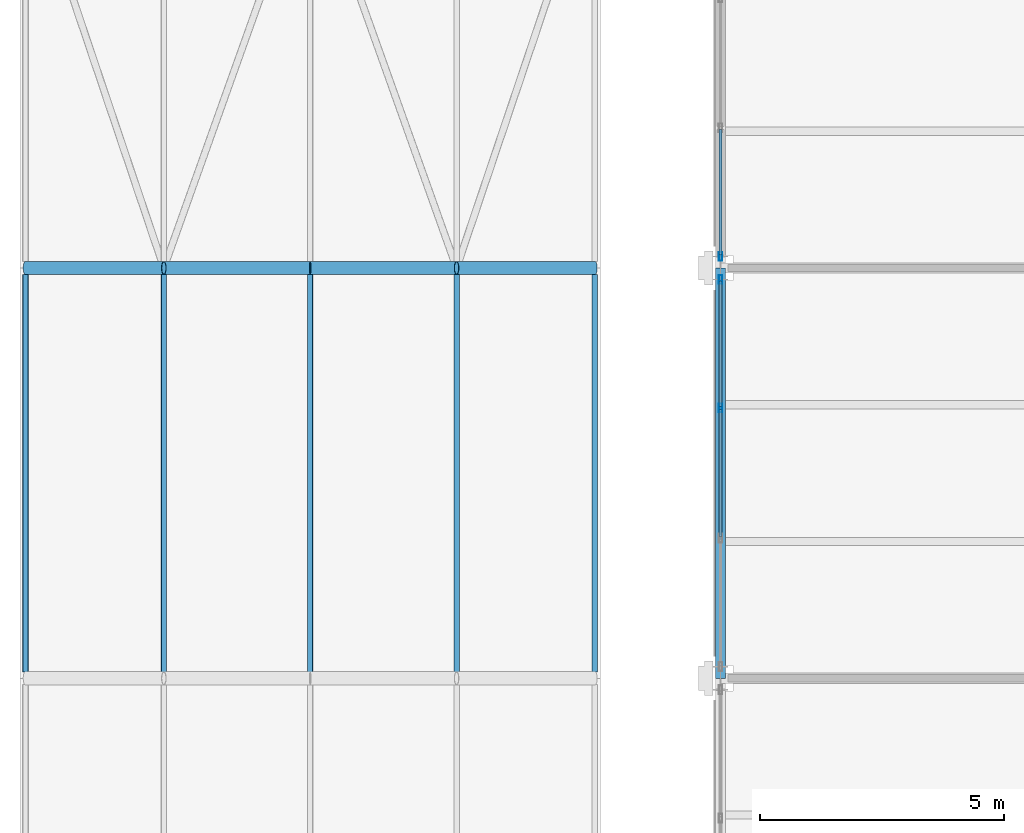
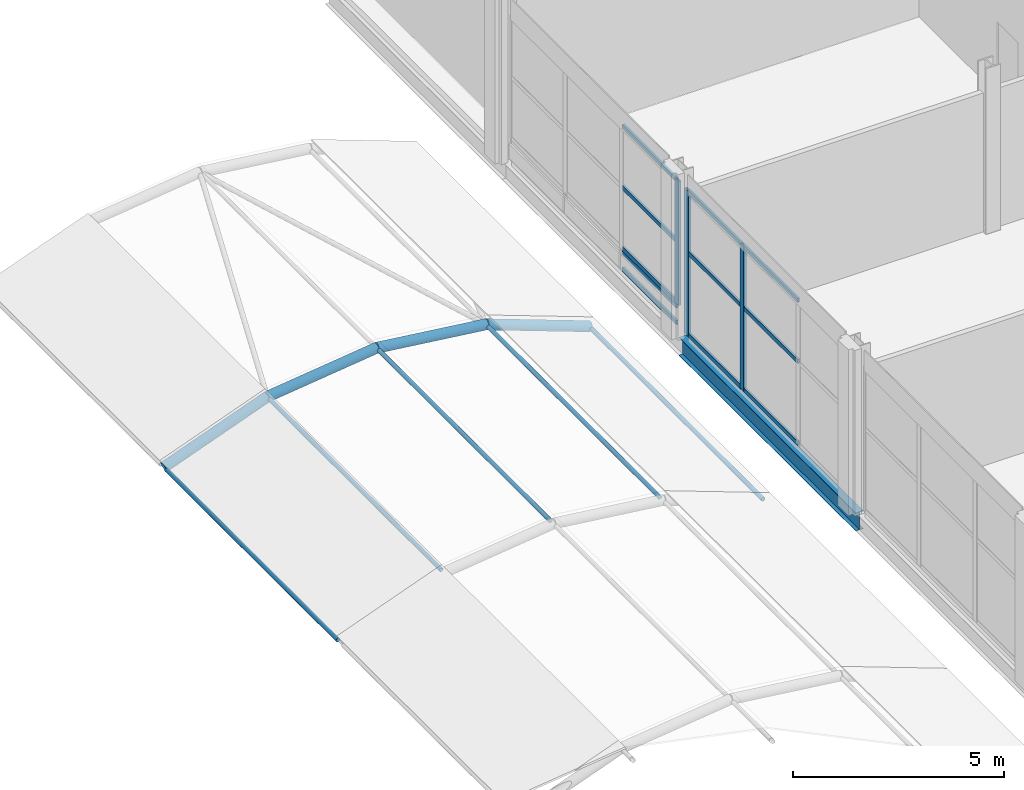
# One storey, part 124 of 167: 23 members, 1 beam, 3 elements without a shape of their own.
"""IFC4 building model written with IfcOpenShell, lengths in metres."""

import ifcopenshell
import ifcopenshell.guid

model = None  # the IFC model being written
_history = None  # IfcOwnerHistory: only IFC2X3 demands one
_inside = {}  # id of a spatial element -> (the spatial element, [elements in it])
_under = {}  # id of a project, library or spatial element -> (it, [spatial elements below it])
_declared = {}  # id of a project -> (the project, [libraries it declares])
_typed = {}  # id of a type object -> (the type object, [elements of that type])
_made_of = {}  # id of a material, layer set ... -> (it, [elements and type objects made of it])


def new_model(schema):
    """Start an empty IFC model of exactly this schema.

    Asked for "IFC4X3", IfcOpenShell would pick the latest addendum, in which some entities
    have other attributes; the version numbers below select the first issue.
    IFC2X3 requires an IfcOwnerHistory on every rooted entity: one is made here for all.
    """
    global model, _history
    if schema == "IFC4X3":
        model = ifcopenshell.file(schema_version=(4, 3, 0, 0))
    else:
        model = ifcopenshell.file(schema=schema)
    _inside.clear()
    _under.clear()
    _declared.clear()
    _typed.clear()
    _made_of.clear()
    _history = None
    if model.schema == "IFC2X3":
        org = make("IfcOrganization", Name="unknown")
        user = make(
            "IfcPersonAndOrganization",
            ThePerson=make("IfcPerson", FamilyName="unknown"),
            TheOrganization=org,
        )
        app = make(
            "IfcApplication",
            ApplicationDeveloper=org,
            Version="unknown",
            ApplicationFullName="unknown",
            ApplicationIdentifier="unknown",
        )
        _history = make(
            "IfcOwnerHistory",
            OwningUser=user,
            OwningApplication=app,
            ChangeAction="ADDED",
            CreationDate=0,
        )
    return model


def make(cls, **values):
    """One entity of the class cls with the attributes given. An attribute that is None is left unset."""
    return model.create_entity(
        cls, **{name: value for name, value in values.items() if value is not None}
    )


def rooted(cls, **values):
    """An entity with a GlobalId (a new one), such as an element, a storey or a relation."""
    return make(cls, GlobalId=ifcopenshell.guid.new(), OwnerHistory=_history, **values)


def si_unit(unit_type, name, prefix=None):
    """IfcSIUnit, for example si_unit("LENGTHUNIT", "METRE", prefix="MILLI")."""
    return make("IfcSIUnit", UnitType=unit_type, Prefix=prefix, Name=name)


def assignment(units):
    """IfcUnitAssignment: the units of a project."""
    return None if units is None else make("IfcUnitAssignment", Units=units)


def point(xyz):
    """IfcCartesianPoint."""
    return None if xyz is None else make("IfcCartesianPoint", Coordinates=xyz)


def direction(xyz):
    """IfcDirection."""
    return None if xyz is None else make("IfcDirection", DirectionRatios=xyz)


def frame(location, z_axis=None, x_axis=None):
    """IfcAxis2Placement3D, a coordinate frame: its origin and axes. An axis left out is left unset."""
    return make(
        "IfcAxis2Placement3D",
        Location=point(location),
        Axis=direction(z_axis),
        RefDirection=direction(x_axis),
    )


def frame_2d(location, x_axis=None):
    """IfcAxis2Placement2D, a coordinate frame in the plane: its origin and x axis."""
    return make(
        "IfcAxis2Placement2D", Location=point(location), RefDirection=direction(x_axis)
    )


def origin():
    """The frame at (0, 0, 0) with its axes left unset."""
    return frame((0.0, 0.0, 0.0))


def origin_2d():
    """The frame at (0, 0) in the plane with its x axis left unset."""
    return frame_2d((0.0, 0.0))


def place(relative_to, where):
    """IfcLocalPlacement: puts the frame where relative to a parent placement (None: the world)."""
    return make(
        "IfcLocalPlacement", PlacementRelTo=relative_to, RelativePlacement=where
    )


def context(
    kind, dimensions, precision=None, world=None, true_north=None, identifier=None
):
    """IfcGeometricRepresentationContext, for example the 3D "Model" context."""
    return make(
        "IfcGeometricRepresentationContext",
        ContextIdentifier=identifier,
        ContextType=kind,
        CoordinateSpaceDimension=dimensions,
        Precision=precision,
        WorldCoordinateSystem=world,
        TrueNorth=true_north,
    )


def subcontext(parent, identifier, kind, view, scale=None):
    """IfcGeometricRepresentationSubContext, for example "Body" below "Model"."""
    return make(
        "IfcGeometricRepresentationSubContext",
        ContextIdentifier=identifier,
        ContextType=kind,
        ParentContext=parent,
        TargetScale=scale,
        TargetView=view,
    )


def project(units=None, contexts=None):
    """IfcProject with its units and contexts."""
    return rooted(
        "IfcProject",
        Name="project",
        RepresentationContexts=contexts,
        UnitsInContext=assignment(units),
    )


def spatial(cls, under=None, at=None, **own):
    """A site, building, storey or space (cls), placed at a placement, below another one or the project."""
    s = rooted(cls, ObjectPlacement=at, **own)
    if under is not None:
        _under.setdefault(under.id(), (under, []))[1].append(s)
    return s


def profile(cls, at=None, kind="AREA", **sizes):
    """A parametric profile (cls). Its sizes go by their IFC names, for example OverallWidth=200.0."""
    return make(cls, ProfileType=kind, Position=at, **sizes)


def hollow_rectangle(**sizes):
    """IfcRectangleHollowProfileDef."""
    return profile("IfcRectangleHollowProfileDef", **sizes)


def hollow_circle(**sizes):
    """IfcCircleHollowProfileDef."""
    return profile("IfcCircleHollowProfileDef", **sizes)


def i_section(**sizes):
    """IfcIShapeProfileDef."""
    return profile("IfcIShapeProfileDef", **sizes)


def extrude(swept, where, along, depth):
    """IfcExtrudedAreaSolid: the profile swept, set in the frame where, extruded along a direction by depth."""
    return make(
        "IfcExtrudedAreaSolid",
        SweptArea=swept,
        Position=where,
        ExtrudedDirection=direction(along),
        Depth=depth,
    )


def shape(context_of_items, identifier, shape_type, items):
    """IfcShapeRepresentation: the items that make up one representation, for example the "Body"."""
    return make(
        "IfcShapeRepresentation",
        ContextOfItems=context_of_items,
        RepresentationIdentifier=identifier,
        RepresentationType=shape_type,
        Items=items,
    )


def material(Name=None, Category=None):
    """IfcMaterial."""
    return make("IfcMaterial", Name=Name, Category=Category)


def material_profile(
    of_material, cross_section, Name=None, Category=None, Priority=None
):
    """IfcMaterialProfile: a cross section and its material."""
    return make(
        "IfcMaterialProfile",
        Name=Name,
        Material=of_material,
        Profile=cross_section,
        Priority=Priority,
        Category=Category,
    )


def profile_set(profiles, Name=None, composite=None):
    """IfcMaterialProfileSet."""
    return make(
        "IfcMaterialProfileSet",
        Name=Name,
        MaterialProfiles=profiles,
        CompositeProfile=composite,
    )


def made_of(thing, what):
    """Note that an element or type object is made of a material, layer set ...; save() writes the relation."""
    if what is not None:
        _made_of.setdefault(what.id(), (what, []))[1].append(thing)
    return thing


def type_object(cls, material=None, **own):
    """A type object (cls), such as IfcWallType, which elements share."""
    return made_of(rooted(cls, **own), material)


def element(
    cls,
    number,
    at=None,
    inside=None,
    cuts=None,
    type_object=None,
    material=None,
    context=None,
    identifier="Body",
    shape_type=None,
    held_by="IfcProductDefinitionShape",
    body=None,
    shapes=None,
    **own,
):
    """One element of the class cls, such as IfcWall. Its Tag is "e" and its number.

    at: its placement. inside: the storey or other place that contains it. cuts: it is an
    opening in that element (IfcRelVoidsElement). A single representation is given by context,
    identifier, shape_type and body (its items); several are given by shapes. held_by: the class
    of the entity that holds the representations. save() writes the other relations.
    """
    e = rooted(cls, Tag="e%d" % number, ObjectPlacement=at, **own)
    if body is not None:
        shapes = [shape(context, identifier, shape_type, body)]
    if shapes is not None:
        e.Representation = make(held_by, Representations=shapes)
    if inside is not None:
        _inside.setdefault(inside.id(), (inside, []))[1].append(e)
    if cuts is not None:
        rooted(
            "IfcRelVoidsElement", RelatingBuildingElement=cuts, RelatedOpeningElement=e
        )
    if type_object is not None:
        _typed.setdefault(type_object.id(), (type_object, []))[1].append(e)
    return made_of(e, material)


def aggregate(whole, parts):
    """IfcRelAggregates: a whole, such as a stair, and the parts it consists of."""
    return rooted("IfcRelAggregates", RelatingObject=whole, RelatedObjects=parts)


def save(model, path):
    """Write the relations noted so far, then the file.

    IfcRelAggregates (storeys below a building ...), IfcRelContainedInSpatialStructure (elements
    in a storey), IfcRelDefinesByType, IfcRelAssociatesMaterial and IfcRelDeclares: one each for
    every whole, place, type object, material and project.
    """
    for whole, parts in _under.values():
        aggregate(whole, parts)
    for where, things in _inside.values():
        rooted(
            "IfcRelContainedInSpatialStructure",
            RelatedElements=things,
            RelatingStructure=where,
        )
    for kind, things in _typed.values():
        rooted("IfcRelDefinesByType", RelatedObjects=things, RelatingType=kind)
    for what, things in _made_of.values():
        rooted("IfcRelAssociatesMaterial", RelatedObjects=things, RelatingMaterial=what)
    for by, libraries in _declared.values():
        rooted("IfcRelDeclares", RelatingContext=by, RelatedDefinitions=libraries)
    model.write(path)


model = new_model("IFC4")

# Units and contexts
model_context = context("Model", 3, precision=1e-05, world=origin(), true_north=direction((0.0, 1.0)))
body_context = subcontext(model_context, "Body", "Model", "MODEL_VIEW")
ifc_project = project(units=[si_unit("LENGTHUNIT", "METRE"), si_unit("AREAUNIT", "SQUARE_METRE"), si_unit("VOLUMEUNIT", "CUBIC_METRE"), si_unit("PLANEANGLEUNIT", "RADIAN"), si_unit("MASSUNIT", "GRAM", prefix="KILO")], contexts=[model_context])

# Site, building, storey
site_placement = place(None, origin())
site = spatial("IfcSite", under=ifc_project, at=site_placement, CompositionType="ELEMENT")
building_placement = place(site_placement, origin())
building = spatial("IfcBuilding", under=site, at=building_placement, Name="Catenary Quay Ferry Terminal", CompositionType="ELEMENT")
storey_placement = place(building_placement, frame((0.0, 0.0, 6.0)))
storey = spatial("IfcBuildingStorey", under=building, at=storey_placement, Name="L01", CompositionType="ELEMENT", Elevation=6.0)

# Beam
ifc_material_1 = material(Name="Steel S355", Category="steel")
ifc_material_profile_1 = material_profile(ifc_material_1, i_section(OverallWidth=0.208740234375, OverallDepth=0.5283203125, WebThickness=0.009521484375, FlangeThickness=0.01318359375, at=origin_2d()), Name="UB 533x210x82")
ifc_profile_set_1 = profile_set([ifc_material_profile_1], Name="Steel S355")
beam_type = type_object("IfcBeamType", Name="B5 UB 533x210x82", PredefinedType="BEAM", material=ifc_profile_set_1)
beam_placement = place(storey_placement, frame((25.199951171875, 184.800048828125, -0.464111328125), z_axis=(0.0, 1.0, 0.0), x_axis=(-1.0, 0.0, 0.0)))
element("IfcBeam", 1, at=beam_placement, inside=storey, type_object=beam_type, Name="Beam B5-025", PredefinedType="BEAM", context=body_context, shape_type="SweptSolid", body=[
    extrude(i_section(OverallWidth=0.208740234375, OverallDepth=0.5283203125, WebThickness=0.009521484375, FlangeThickness=0.01318359375, at=origin_2d()), origin(), (0.0, 0.0, 1.0), 8.39990234375),
])

# Curtain wall, members
ifc_material_2 = material(Name="Aluminium and glass", Category="aluminium")
curtain_wall_type_1 = type_object("IfcCurtainWallType", Name="CWW2", PredefinedType="NOTDEFINED", material=ifc_material_2)
curtain_wall_1_placement = place(storey_placement, origin())
curtain_wall_1 = element("IfcCurtainWall", 2, at=curtain_wall_1_placement, inside=storey, type_object=curtain_wall_type_1, Name="Wing curtain wall CW126", PredefinedType="NOTDEFINED")
ifc_material_3 = material(Name="Aluminium", Category="aluminium")
ifc_material_profile_2 = material_profile(ifc_material_3, hollow_rectangle(XDim=0.070068359375, YDim=0.179931640625, WallThickness=0.006103515625, at=origin_2d()), Name="MU3")
ifc_profile_set_2 = profile_set([ifc_material_profile_2], Name="Aluminium")
member_type_1 = type_object("IfcMemberType", Name="MU3", PredefinedType="MULLION", material=ifc_profile_set_2)
member_1_placement = place(storey_placement, frame((25.199951171875, 190.333251953125, 0.0), z_axis=(0.0, 0.0, 1.0), x_axis=(-1.0, 0.0, 0.0)))
member_1 = element("IfcMember", 3, at=member_1_placement, type_object=member_type_1, Name="CW126 mullion 3", PredefinedType="MULLION", context=body_context, shape_type="SweptSolid", body=[
    extrude(hollow_rectangle(XDim=0.070068359375, YDim=0.179931640625, WallThickness=0.006103515625, at=origin_2d()), origin(), (0.0, 0.0, 1.0), 4.199951171875),
])
member_2_placement = place(storey_placement, frame((25.199951171875, 192.965087890625, 0.0), z_axis=(0.0, 0.0, 1.0), x_axis=(-1.0, 0.0, 0.0)))
member_2 = element("IfcMember", 4, at=member_2_placement, type_object=member_type_1, Name="CW126 mullion 4", PredefinedType="MULLION", context=body_context, shape_type="SweptSolid", body=[
    extrude(hollow_rectangle(XDim=0.070068359375, YDim=0.179931640625, WallThickness=0.006103515625, at=origin_2d()), origin(), (0.0, 0.0, 1.0), 4.199951171875),
])

# Curtain wall, member
curtain_wall_2_placement = place(storey_placement, origin())
curtain_wall_2 = element("IfcCurtainWall", 5, at=curtain_wall_2_placement, inside=storey, type_object=curtain_wall_type_1, Name="Wing curtain wall CW127", PredefinedType="NOTDEFINED")
member_3_placement = place(storey_placement, frame((25.199951171875, 193.43505859375, 0.60009765625), z_axis=(0.0, 0.0, 1.0), x_axis=(-1.0, 0.0, 0.0)))
member_3 = element("IfcMember", 6, at=member_3_placement, type_object=member_type_1, Name="CW127 mullion 1", PredefinedType="MULLION", context=body_context, shape_type="SweptSolid", body=[
    extrude(hollow_rectangle(XDim=0.070068359375, YDim=0.179931640625, WallThickness=0.006103515625, at=origin_2d()), origin(), (0.0, 0.0, 1.0), 3.599853515625),
])

# Members
ifc_material_4 = material(Name="Steel S355", Category="steel")
ifc_material_profile_3 = material_profile(ifc_material_4, hollow_circle(Radius=0.05712890625, WallThickness=0.00634765625, at=origin_2d()), Name="CHS 114.3x6.3")
ifc_profile_set_3 = profile_set([ifc_material_profile_3], Name="Steel S355")
member_type_2 = type_object("IfcMemberType", Name="PU2 CHS 114.3x6.3", PredefinedType="PURLIN", material=ifc_profile_set_3)
for number, where, z_axis, x_axis, name in (
    (7, (10.970947265625, 184.929931640625, 0.98388671875), (0.0, 1.0, 0.0), (-1.0, 0.0, 0.0), "Purlin PU-FC-15-01"),
    (8, (13.802978515625, 184.929931640625, 2.031005859375), (0.0, 1.0, 0.0), (-1.0, 0.0, 0.0), "Purlin PU-FC-15-02"),
    (9, (16.800048828125, 184.929931640625, 2.39990234375), (0.0, 1.0, 0.0), (-1.0, 0.0, 0.0), "Purlin PU-FC-15-03"),
    (10, (19.797119140625, 184.929931640625, 2.031005859375), (0.0, 1.0, 0.0), (-1.0, 0.0, 0.0), "Purlin PU-FC-15-04"),
    (11, (22.62890625, 184.929931640625, 0.98388671875), (0.0, 1.0, 0.0), (-1.0, 0.0, 0.0), "Purlin PU-FC-15-05"),
):
    element("IfcMember", number, at=place(storey_placement, frame(where, z_axis=z_axis, x_axis=x_axis)), inside=storey, type_object=member_type_2, Name=name, PredefinedType="PURLIN", context=body_context, shape_type="SweptSolid", body=[
        extrude(hollow_circle(Radius=0.05712890625, WallThickness=0.00634765625, at=origin_2d()), origin(), (0.0, 0.0, 1.0), 8.14013671875),
    ])

# Member
ifc_material_5 = material(Name="Aluminium", Category="aluminium")
ifc_material_profile_4 = material_profile(ifc_material_5, hollow_rectangle(XDim=0.06005859375, YDim=0.1201171875, WallThickness=0.0048828125, at=origin_2d()), Name="TR3")
ifc_profile_set_4 = profile_set([ifc_material_profile_4], Name="Aluminium")
member_type_3 = type_object("IfcMemberType", Name="TR3", PredefinedType="USERDEFINED", material=ifc_profile_set_4)
member_4_placement = place(storey_placement, frame((25.199951171875, 187.70166015625, 0.030029296875), z_axis=(0.0, 1.0, 0.0), x_axis=(-1.0, 0.0, 0.0)))
member_4 = element("IfcMember", 12, at=member_4_placement, type_object=member_type_3, Name="CW126 transom 2.1", ObjectType="TRANSOM", PredefinedType="USERDEFINED", context=body_context, shape_type="SweptSolid", body=[
    extrude(hollow_rectangle(XDim=0.06005859375, YDim=0.1201171875, WallThickness=0.0048828125, at=origin_2d()), origin(), (0.0, 0.0, 1.0), 2.5966796875),
])

member_5_placement = place(storey_placement, frame((25.199951171875, 187.70166015625, 2.39990234375), z_axis=(0.0, 1.0, 0.0), x_axis=(-1.0, 0.0, 0.0)))
member_5 = element("IfcMember", 13, at=member_5_placement, type_object=member_type_3, Name="CW126 transom 2.2", ObjectType="TRANSOM", PredefinedType="USERDEFINED", context=body_context, shape_type="SweptSolid", body=[
    extrude(hollow_rectangle(XDim=0.06005859375, YDim=0.1201171875, WallThickness=0.0048828125, at=origin_2d()), origin(), (0.0, 0.0, 1.0), 2.5966796875),
])

member_6_placement = place(storey_placement, frame((25.199951171875, 187.70166015625, 4.169921875), z_axis=(0.0, 1.0, 0.0), x_axis=(-1.0, 0.0, 0.0)))
member_6 = element("IfcMember", 14, at=member_6_placement, type_object=member_type_3, Name="CW126 transom 2.3", ObjectType="TRANSOM", PredefinedType="USERDEFINED", context=body_context, shape_type="SweptSolid", body=[
    extrude(hollow_rectangle(XDim=0.06005859375, YDim=0.1201171875, WallThickness=0.0048828125, at=origin_2d()), origin(), (0.0, 0.0, 1.0), 2.5966796875),
])

member_7_placement = place(storey_placement, frame((25.199951171875, 190.368408203125, 0.030029296875), z_axis=(0.0, 1.0, 0.0), x_axis=(-1.0, 0.0, 0.0)))
member_7 = element("IfcMember", 15, at=member_7_placement, type_object=member_type_3, Name="CW126 transom 3.1", ObjectType="TRANSOM", PredefinedType="USERDEFINED", context=body_context, shape_type="SweptSolid", body=[
    extrude(hollow_rectangle(XDim=0.06005859375, YDim=0.1201171875, WallThickness=0.0048828125, at=origin_2d()), origin(), (0.0, 0.0, 1.0), 2.5615234375),
])

member_8_placement = place(storey_placement, frame((25.199951171875, 190.368408203125, 2.39990234375), z_axis=(0.0, 1.0, 0.0), x_axis=(-1.0, 0.0, 0.0)))
member_8 = element("IfcMember", 16, at=member_8_placement, type_object=member_type_3, Name="CW126 transom 3.2", ObjectType="TRANSOM", PredefinedType="USERDEFINED", context=body_context, shape_type="SweptSolid", body=[
    extrude(hollow_rectangle(XDim=0.06005859375, YDim=0.1201171875, WallThickness=0.0048828125, at=origin_2d()), origin(), (0.0, 0.0, 1.0), 2.5615234375),
])

member_9_placement = place(storey_placement, frame((25.199951171875, 190.368408203125, 4.169921875), z_axis=(0.0, 1.0, 0.0), x_axis=(-1.0, 0.0, 0.0)))
member_9 = element("IfcMember", 17, at=member_9_placement, type_object=member_type_3, Name="CW126 transom 3.3", ObjectType="TRANSOM", PredefinedType="USERDEFINED", context=body_context, shape_type="SweptSolid", body=[
    extrude(hollow_rectangle(XDim=0.06005859375, YDim=0.1201171875, WallThickness=0.0048828125, at=origin_2d()), origin(), (0.0, 0.0, 1.0), 2.5615234375),
])

aggregate(curtain_wall_1, [member_1, member_2, member_4, member_5, member_6, member_7, member_8, member_9])

member_10_placement = place(storey_placement, frame((25.199951171875, 193.469970703125, 0.6298828125), z_axis=(0.0, 1.0, 0.0), x_axis=(-1.0, 0.0, 0.0)))
member_10 = element("IfcMember", 18, at=member_10_placement, type_object=member_type_3, Name="CW127 transom 1.1", ObjectType="TRANSOM", PredefinedType="USERDEFINED", context=body_context, shape_type="SweptSolid", body=[
    extrude(hollow_rectangle(XDim=0.06005859375, YDim=0.1201171875, WallThickness=0.0048828125, at=origin_2d()), origin(), (0.0, 0.0, 1.0), 2.561767578125),
])

member_11_placement = place(storey_placement, frame((25.199951171875, 193.469970703125, 2.39990234375), z_axis=(0.0, 1.0, 0.0), x_axis=(-1.0, 0.0, 0.0)))
member_11 = element("IfcMember", 19, at=member_11_placement, type_object=member_type_3, Name="CW127 transom 1.2", ObjectType="TRANSOM", PredefinedType="USERDEFINED", context=body_context, shape_type="SweptSolid", body=[
    extrude(hollow_rectangle(XDim=0.06005859375, YDim=0.1201171875, WallThickness=0.0048828125, at=origin_2d()), origin(), (0.0, 0.0, 1.0), 2.561767578125),
])

member_12_placement = place(storey_placement, frame((25.199951171875, 193.469970703125, 4.169921875), z_axis=(0.0, 1.0, 0.0), x_axis=(-1.0, 0.0, 0.0)))
member_12 = element("IfcMember", 20, at=member_12_placement, type_object=member_type_3, Name="CW127 transom 1.3", ObjectType="TRANSOM", PredefinedType="USERDEFINED", context=body_context, shape_type="SweptSolid", body=[
    extrude(hollow_rectangle(XDim=0.06005859375, YDim=0.1201171875, WallThickness=0.0048828125, at=origin_2d()), origin(), (0.0, 0.0, 1.0), 2.561767578125),
])

aggregate(curtain_wall_2, [member_3, member_10, member_11, member_12])

# Curtain wall, members
ifc_material_6 = material(Name="Aluminium and glass", Category="aluminium")
curtain_wall_type_2 = type_object("IfcCurtainWallType", Name="CWW4", PredefinedType="NOTDEFINED", material=ifc_material_6)
curtain_wall_3_placement = place(storey_placement, origin())
curtain_wall_3 = element("IfcCurtainWall", 21, at=curtain_wall_3_placement, inside=storey, type_object=curtain_wall_type_2, Name="Wing base curtain wall CW174", PredefinedType="NOTDEFINED")
member_13_placement = place(storey_placement, frame((25.199951171875, 193.469970703125, 0.030029296875), z_axis=(0.0, 1.0, 0.0), x_axis=(-1.0, 0.0, 0.0)))
member_13 = element("IfcMember", 22, at=member_13_placement, type_object=member_type_3, Name="CW174 transom 1.1", ObjectType="TRANSOM", PredefinedType="USERDEFINED", context=body_context, shape_type="SweptSolid", body=[
    extrude(hollow_rectangle(XDim=0.06005859375, YDim=0.1201171875, WallThickness=0.0048828125, at=origin_2d()), origin(), (0.0, 0.0, 1.0), 2.561767578125),
])
member_14_placement = place(storey_placement, frame((25.199951171875, 193.469970703125, 0.510009765625), z_axis=(0.0, 1.0, 0.0), x_axis=(-1.0, 0.0, 0.0)))
member_14 = element("IfcMember", 23, at=member_14_placement, type_object=member_type_3, Name="CW174 transom 1.2", ObjectType="TRANSOM", PredefinedType="USERDEFINED", context=body_context, shape_type="SweptSolid", body=[
    extrude(hollow_rectangle(XDim=0.06005859375, YDim=0.1201171875, WallThickness=0.0048828125, at=origin_2d()), origin(), (0.0, 0.0, 1.0), 2.561767578125),
])
aggregate(curtain_wall_3, [member_13, member_14])

# Members
ifc_material_7 = material(Name="Steel S355", Category="steel")
ifc_material_profile_5 = material_profile(ifc_material_7, hollow_circle(Radius=0.136474609375, WallThickness=0.012451171875, at=origin_2d()), Name="CHS 273x12.5")
ifc_profile_set_5 = profile_set([ifc_material_profile_5], Name="Steel S355")
member_type_4 = type_object("IfcMemberType", Name="VR2 CHS 273x12.5", PredefinedType="RAFTER", material=ifc_profile_set_5)
member_15_placement = place(storey_placement, frame((10.970947265625, 193.199951171875, 0.98388671875), z_axis=(0.937940762231, 0.0, 0.346795511139), x_axis=(0.0, 1.0, 0.0)))
element("IfcMember", 24, at=member_15_placement, inside=storey, type_object=member_type_4, Name="rib FC-16-02", PredefinedType="RAFTER", context=body_context, shape_type="SweptSolid", body=[
    extrude(hollow_circle(Radius=0.136474609375, WallThickness=0.012451171875, at=origin_2d()), origin(), (0.0, 0.0, 1.0), 3.01953125),
])
for number, where, z_axis, x_axis, name in (
    (25, (13.802978515625, 193.199951171875, 2.031005859375), (0.992509955251, 0.0, 0.122163778298), (0.0, 1.0, 0.0), "rib FC-16-03"),
    (26, (16.800048828125, 193.199951171875, 2.39990234375), (0.992509955251, 0.0, -0.122163778298), (0.0, 1.0, 0.0), "rib FC-16-04"),
):
    element("IfcMember", number, at=place(storey_placement, frame(where, z_axis=z_axis, x_axis=x_axis)), inside=storey, type_object=member_type_4, Name=name, PredefinedType="RAFTER", context=body_context, shape_type="SweptSolid", body=[
        extrude(hollow_circle(Radius=0.136474609375, WallThickness=0.012451171875, at=origin_2d()), origin(), (0.0, 0.0, 1.0), 3.019775390625),
    ])
member_16_placement = place(storey_placement, frame((19.797119140625, 193.199951171875, 2.031005859375), z_axis=(0.93793103669, 0.0, -0.346821813636), x_axis=(0.0, 1.0, 0.0)))
element("IfcMember", 27, at=member_16_placement, inside=storey, type_object=member_type_4, Name="rib FC-16-05", PredefinedType="RAFTER", context=body_context, shape_type="SweptSolid", body=[
    extrude(hollow_circle(Radius=0.136474609375, WallThickness=0.012451171875, at=origin_2d()), origin(), (0.0, 0.0, 1.0), 3.019287109375),
])

save(model, "model.ifc")
